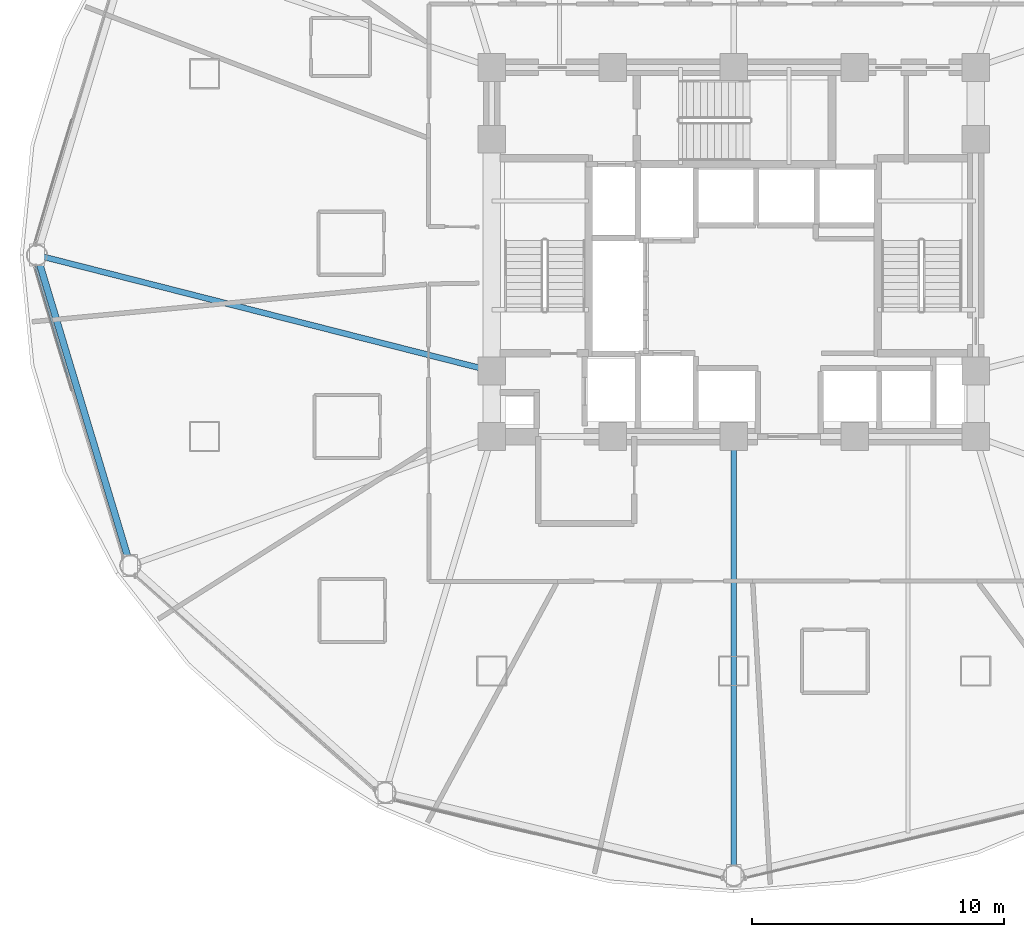
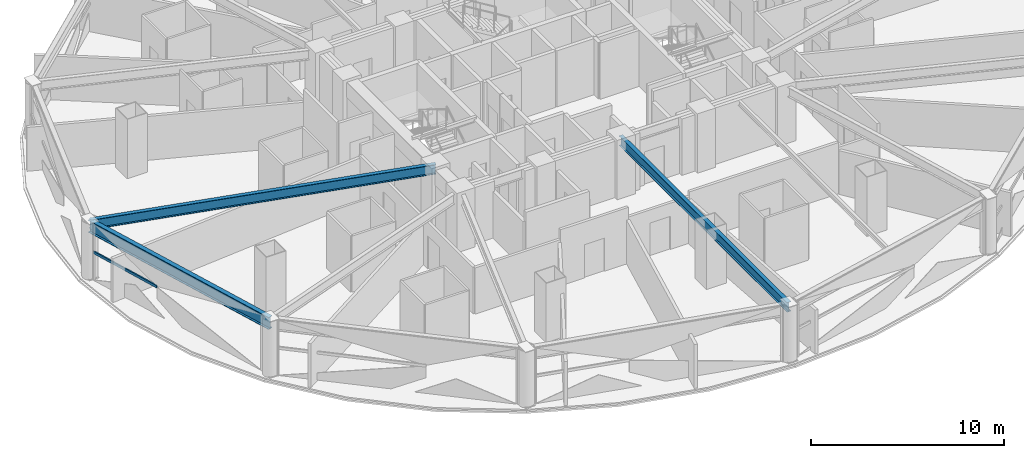
# One storey, part 5 of 33: 3 beams, 1 member, 1 element without a shape of its own.
"""IFC4 building model written with IfcOpenShell, lengths in metres."""

from ifc_helpers import new_model, si_unit, direction, frame, origin, origin_2d, place, context, subcontext, project, spatial, hollow_rectangle, i_section, extrude, material, layer, layer_set, material_profile, profile_set, type_object, element, aggregate, save


model = new_model("IFC4")

# Units and contexts
model_context = context("Model", 3, precision=1e-05, world=origin(), true_north=direction((0.0, 1.0)))
body_context = subcontext(model_context, "Body", "Model", "MODEL_VIEW")
ifc_project = project(units=[si_unit("LENGTHUNIT", "METRE"), si_unit("AREAUNIT", "SQUARE_METRE"), si_unit("VOLUMEUNIT", "CUBIC_METRE"), si_unit("PLANEANGLEUNIT", "RADIAN"), si_unit("MASSUNIT", "GRAM", prefix="KILO")], contexts=[model_context])

# Site, building, storey
site_placement = place(None, origin())
site = spatial("IfcSite", under=ifc_project, at=site_placement, CompositionType="ELEMENT")
building_placement = place(site_placement, origin())
building = spatial("IfcBuilding", under=site, at=building_placement, Name="Vantalir Tower", CompositionType="ELEMENT")
storey_placement = place(building_placement, frame((0.0, 0.0, 68.25)))
storey = spatial("IfcBuildingStorey", under=building, at=storey_placement, Name="L16", CompositionType="ELEMENT", Elevation=68.25)

# Beams
ifc_material_1 = material(Name="Steel S355", Category="steel")
ifc_material_profile_1 = material_profile(ifc_material_1, i_section(OverallWidth=0.22998046875, OverallDepth=0.616943359375, WebThickness=0.01318359375, FlangeThickness=0.022216796875, at=origin_2d()), Name="Steel S355")
ifc_profile_set_1 = profile_set([ifc_material_profile_1], Name="Steel S355")
beam_type_1 = type_object("IfcBeamType", Name="BM-RB-610x229", PredefinedType="BEAM", material=ifc_profile_set_1)
beam_1_placement = place(storey_placement, frame((3.85009765625, 25.0, 3.261962890625), z_axis=(0.969025237662, -0.246961715198, 0.0), x_axis=(0.246961715198, 0.969025237662, 0.0)))
element("IfcBeam", 1, at=beam_1_placement, inside=storey, type_object=beam_type_1, Name="L16 Radial Floor Beam 07", PredefinedType="BEAM", context=body_context, shape_type="SweptSolid", body=[
    extrude(i_section(OverallWidth=0.22998046875, OverallDepth=0.616943359375, WebThickness=0.01318359375, FlangeThickness=0.022216796875, at=origin_2d()), origin(), (0.0, 0.0, 1.0), 18.626708984375),
])
beam_2_placement = place(storey_placement, frame((31.5, 0.37109375, 3.261962890625), z_axis=(0.0, 1.0, 0.0), x_axis=(-1.0, 0.0, 0.0)))
element("IfcBeam", 2, at=beam_2_placement, inside=storey, type_object=beam_type_1, Name="L16 Radial Floor Beam 10", PredefinedType="BEAM", context=body_context, shape_type="SweptSolid", body=[
    extrude(i_section(OverallWidth=0.22998046875, OverallDepth=0.616943359375, WebThickness=0.01318359375, FlangeThickness=0.022216796875, at=origin_2d()), origin(), (0.0, 0.0, 1.0), 17.428955078125),
])
ifc_material_2 = material(Name="Steel S460", Category="steel")
ifc_material_profile_2 = material_profile(ifc_material_2, i_section(OverallWidth=0.26806640625, OverallDepth=0.77001953125, WebThickness=0.015625, FlangeThickness=0.025390625, at=origin_2d()), Name="Steel S460")
ifc_profile_set_2 = profile_set([ifc_material_profile_2], Name="Steel S460")
beam_type_2 = type_object("IfcBeamType", Name="BM-RG-762x267", PredefinedType="USERDEFINED", material=ifc_profile_set_2)
beam_3_placement = place(storey_placement, frame((3.85009765625, 25.0, 3.18505859375), z_axis=(0.288016633723, -0.957625406252, 0.0), x_axis=(0.957625406252, 0.288016633723, 0.0)))
element("IfcBeam", 3, at=beam_3_placement, inside=storey, type_object=beam_type_2, Name="L16 Circumferential Ring Girder 07", ObjectType="GIRDER", PredefinedType="USERDEFINED", context=body_context, shape_type="SweptSolid", body=[
    extrude(i_section(OverallWidth=0.26806640625, OverallDepth=0.77001953125, WebThickness=0.015625, FlangeThickness=0.025390625, at=origin_2d()), origin(), (0.0, 0.0, 1.0), 12.85986328125),
])

# Curtain wall, member
ifc_material_3 = material(Name="Champagne-silver PVDF aluminium and double-silver Low-E glass", Category="aluminium")
ifc_layer = layer(ifc_material_3, 0.18994140625)
ifc_layer_set = layer_set([ifc_layer], Name="Champagne-silver PVDF aluminium and double-silver Low-E glass")
curtain_wall_type = type_object("IfcCurtainWallType", Name="CW-DIAMOND-Z1", PredefinedType="USERDEFINED", material=ifc_layer_set)
curtain_wall_placement = place(storey_placement, origin())
curtain_wall = element("IfcCurtainWall", 4, at=curtain_wall_placement, inside=storey, type_object=curtain_wall_type, Name="L16 Quilted Pyramid-Diamond Curtain Wall S07", ObjectType="UNITISED CURTAIN WALL", PredefinedType="USERDEFINED")
ifc_material_4 = material(Name="Champagne-silver PVDF aluminium 6063-T6", Category="aluminium")
ifc_material_profile_3 = material_profile(ifc_material_4, hollow_rectangle(XDim=0.074951171875, YDim=0.159912109375, WallThickness=0.00390625, at=origin_2d()), Name="Champagne-silver PVDF aluminium 6063-T6")
ifc_profile_set_3 = profile_set([ifc_material_profile_3], Name="Champagne-silver PVDF aluminium 6063-T6")
member_type = type_object("IfcMemberType", Name="CWT-160x75", PredefinedType="USERDEFINED", material=ifc_profile_set_3)
member_placement = place(storey_placement, frame((3.794921875, 24.550048828125, 1.784912109375), z_axis=(0.282849684739, -0.959164248626, 0.0), x_axis=(0.959164248626, 0.282849684739, 0.0)))
member = element("IfcMember", 5, at=member_placement, type_object=member_type, Name="CW-L16-S07 Pyramid Fold Ridge Transom", ObjectType="TRANSOM", PredefinedType="USERDEFINED", context=body_context, shape_type="SweptSolid", body=[
    extrude(hollow_rectangle(XDim=0.074951171875, YDim=0.159912109375, WallThickness=0.00390625, at=origin_2d()), origin(), (0.0, 0.0, 1.0), 4.564208984375),
])
aggregate(curtain_wall, [member])

save(model, "model.ifc")
